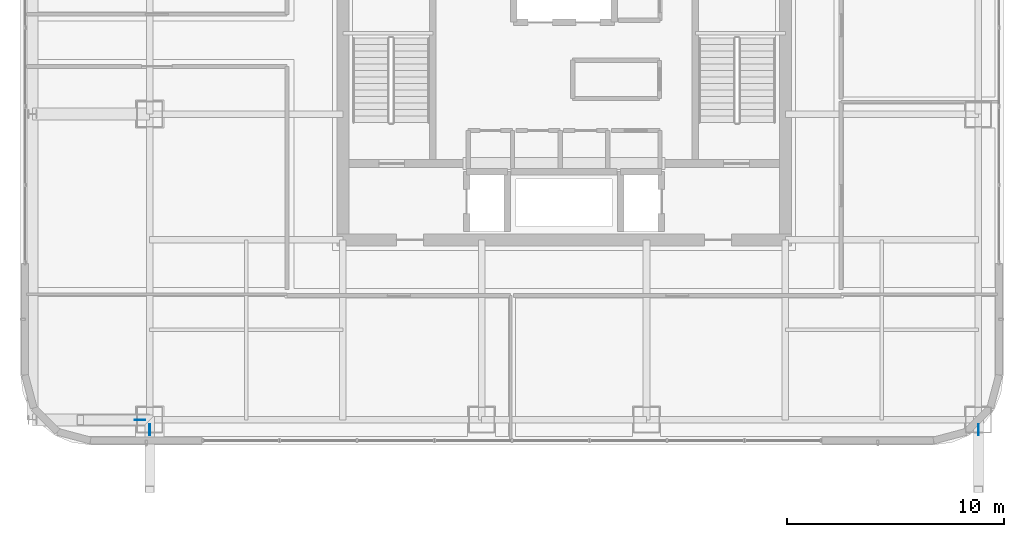
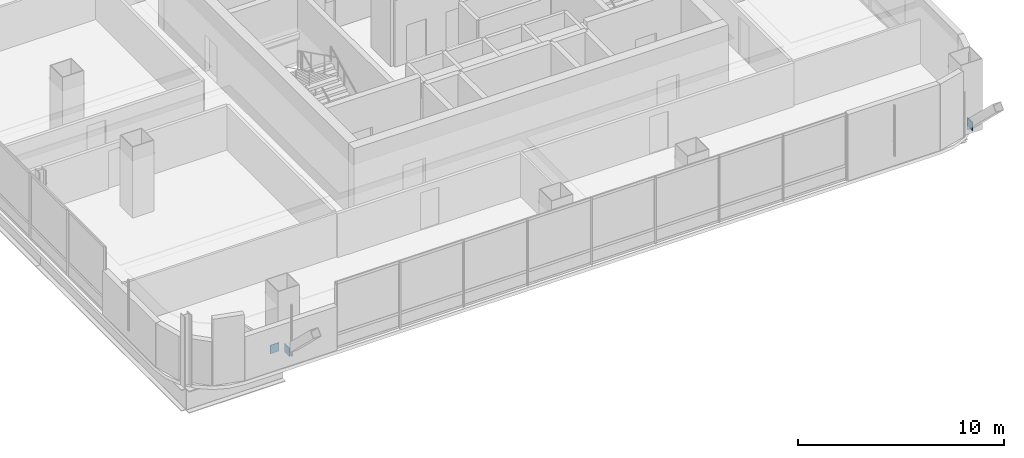
# One storey, part 32 of 51: 3 plates.
"""IFC4 building model written with IfcOpenShell, lengths in metres."""

from ifc_helpers import new_model, si_unit, direction, frame, origin, origin_2d, place, context, subcontext, project, spatial, rectangle, extrude, material, layer, layer_set, type_object, element, save


model = new_model("IFC4")

# Units and contexts
model_context = context("Model", 3, precision=1e-05, world=origin(), true_north=direction((0.0, 1.0)))
body_context = subcontext(model_context, "Body", "Model", "MODEL_VIEW")
ifc_project = project(units=[si_unit("LENGTHUNIT", "METRE"), si_unit("AREAUNIT", "SQUARE_METRE"), si_unit("VOLUMEUNIT", "CUBIC_METRE"), si_unit("PLANEANGLEUNIT", "RADIAN"), si_unit("MASSUNIT", "GRAM", prefix="KILO")], contexts=[model_context])

# Site, building, storey
site_placement = place(None, origin())
site = spatial("IfcSite", under=ifc_project, at=site_placement, CompositionType="ELEMENT")
building_placement = place(site_placement, origin())
building = spatial("IfcBuilding", under=site, at=building_placement, Name="Punatoya Terracotta Tower", CompositionType="ELEMENT")
storey_placement = place(building_placement, frame((0.0, 0.0, 313.199951171875)))
storey = spatial("IfcBuildingStorey", under=building, at=storey_placement, Name="L74", CompositionType="ELEMENT", Elevation=313.199951171875)

# Plates
ifc_material = material(Name="Steel S460", Category="steel")
ifc_layer = layer(ifc_material, 0.031982421875)
ifc_layer_set = layer_set([ifc_layer], Name="Steel S460")
plate_type = type_object("IfcPlateType", Name="PLT-END-32", PredefinedType="USERDEFINED", material=ifc_layer_set)
for number, where, z_axis, x_axis, name in (
    (1, (-19.548095703125, -17.5, 0.2041015625), (0.0, 0.0, 1.0), (1.0, 0.0, 0.0), "L75 Knee-Strut Base Gusset Plate W1"),
    (2, (-19.10009765625, -17.947998046875, 0.2041015625), (0.0, 0.0, 1.0), (0.0, 1.0, 0.0), "L75 Knee-Strut Base Gusset Plate S1"),
    (3, (19.10009765625, -17.947998046875, 0.2041015625), (0.0, 0.0, 1.0), (0.0, 1.0, 0.0), "L75 Knee-Strut Base Gusset Plate S2"),
):
    element("IfcPlate", number, at=place(storey_placement, frame(where, z_axis=z_axis, x_axis=x_axis)), inside=storey, type_object=plate_type, Name=name, ObjectType="FLANGE_PLATE", PredefinedType="USERDEFINED", context=body_context, shape_type="SweptSolid", body=[
        extrude(rectangle(XDim=0.5, YDim=0.031982421875, at=origin_2d()), origin(), (0.0, 0.0, 1.0), 0.5),
    ])

save(model, "model.ifc")
